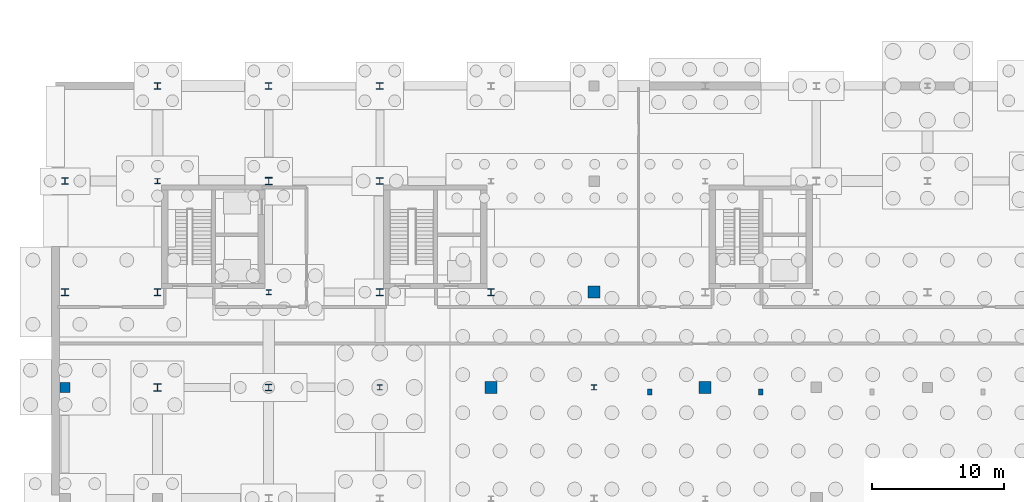
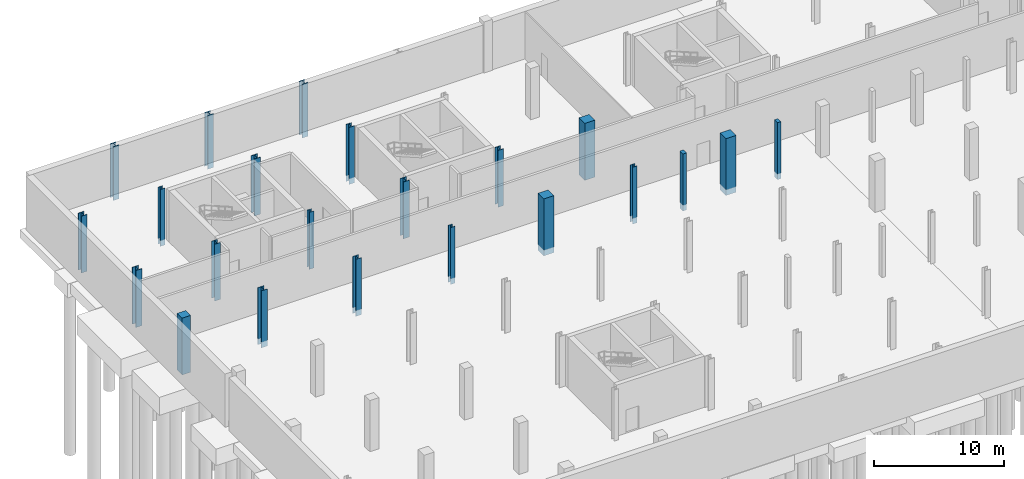
# One storey, part 12 of 32: 22 columns.
"""IFC4 building model written with IfcOpenShell, lengths in metres."""

from ifc_helpers import new_model, si_unit, direction, frame, origin_with_axes, origin_2d_with_axis, place, context, subcontext, project, spatial, rectangle, i_section, extrude, material, material_profile, profile_set, type_object, element, save


model = new_model("IFC4")

# Units and contexts
model_context = context("Model", 3, precision=1e-05, world=origin_with_axes(), true_north=direction((0.0, 1.0)))
body_context = subcontext(model_context, "Body", "Model", "MODEL_VIEW")
ifc_project = project(units=[si_unit("LENGTHUNIT", "METRE"), si_unit("AREAUNIT", "SQUARE_METRE"), si_unit("VOLUMEUNIT", "CUBIC_METRE"), si_unit("PLANEANGLEUNIT", "RADIAN"), si_unit("MASSUNIT", "GRAM", prefix="KILO"), si_unit("THERMODYNAMICTEMPERATUREUNIT", "KELVIN")], contexts=[model_context])

# Site, building, storey
site_placement = place(None, origin_with_axes())
site = spatial("IfcSite", under=ifc_project, at=site_placement, CompositionType="ELEMENT")
building_placement = place(site_placement, origin_with_axes())
building = spatial("IfcBuilding", under=site, at=building_placement, Name="Montbau Bow Law Courts", CompositionType="ELEMENT")
storey_placement = place(building_placement, frame((0.0, 0.0, -4.8), z_axis=(0.0, 0.0, 1.0), x_axis=(1.0, 0.0, 0.0)))
storey = spatial("IfcBuildingStorey", under=building, at=storey_placement, Name="B1", CompositionType="ELEMENT", Elevation=-4.8)

# Columns
ifc_material_1 = material(Name="Concrete CSA A23.1 f'c 40 MPa", Category="concrete")
ifc_material_profile_1 = material_profile(ifc_material_1, rectangle(XDim=0.32, YDim=0.48, at=origin_2d_with_axis()), Name="RC480X320", Category="Main", Priority=0)
ifc_profile_set_1 = profile_set([ifc_material_profile_1], Name="Concrete CSA A23.1 f'c 40 MPa")
column_type_1 = type_object("IfcColumnType", Name="C-PIL-02", PredefinedType="PILASTER", material=ifc_profile_set_1)
for number, where, z_axis, x_axis, name in (
    (1, (51.0, 38.65, -5.35), (0.0, 0.0, 1.0), (1.0, 0.0, 0.0), "PL-B1-S09:pil2_0025"),
    (2, (59.4, 38.65, -5.35), (0.0, 0.0, 1.0), (1.0, 0.0, 0.0), "PL-B1-S10:pil2_0028"),
):
    element("IfcColumn", number, at=place(None, frame(where, z_axis=z_axis, x_axis=x_axis)), inside=storey, type_object=column_type_1, Name=name, PredefinedType="PILASTER", context=body_context, shape_type="SweptSolid", body=[
        extrude(rectangle(XDim=0.32, YDim=0.48, at=origin_2d_with_axis()), origin_with_axes(), (0.0, 0.0, 1.0), 5.35),
    ])
ifc_material_2 = material(Name="Concrete CSA A23.1 f'c 45 MPa", Category="concrete")
ifc_material_profile_2 = material_profile(ifc_material_2, rectangle(XDim=0.9, YDim=0.9, at=origin_2d_with_axis()), Name="RC900X900", Category="Main", Priority=0)
ifc_profile_set_2 = profile_set([ifc_material_profile_2], Name="Concrete CSA A23.1 f'c 45 MPa")
column_type_2 = type_object("IfcColumnType", Name="C-RC-01", PredefinedType="COLUMN", material=ifc_profile_set_2)
for number, where, z_axis, x_axis, name in (
    (3, (39.0, 39.0, -5.35), (0.0, 0.0, 1.0), (1.0, 0.0, 0.0), "C-B1-S033:col2_0033"),
    (4, (46.8, 46.2, -5.35), (0.0, 0.0, 1.0), (1.0, 0.0, 0.0), "C-B1-S039:col2_0039"),
    (5, (55.2, 39.0, -5.35), (0.0, 0.0, 1.0), (1.0, 0.0, 0.0), "C-B1-S045:col2_0045"),
):
    element("IfcColumn", number, at=place(None, frame(where, z_axis=z_axis, x_axis=x_axis)), inside=storey, type_object=column_type_2, Name=name, PredefinedType="COLUMN", context=body_context, shape_type="SweptSolid", body=[
        extrude(rectangle(XDim=0.9, YDim=0.9, at=origin_2d_with_axis()), origin_with_axes(), (0.0, 0.0, 1.0), 5.35),
    ])
ifc_material_profile_3 = material_profile(ifc_material_1, rectangle(XDim=0.75, YDim=0.75, at=origin_2d_with_axis()), Name="RC750X750", Category="Main", Priority=0)
ifc_profile_set_3 = profile_set([ifc_material_profile_3], Name="Concrete CSA A23.1 f'c 40 MPa")
column_type_3 = type_object("IfcColumnType", Name="C-RC-03", PredefinedType="COLUMN", material=ifc_profile_set_3)
column_placement = place(None, frame((6.8, 39.0, -5.35), z_axis=(0.0, 0.0, 1.0), x_axis=(1.0, 0.0, 0.0)))
element("IfcColumn", 6, at=column_placement, inside=storey, type_object=column_type_3, Name="C-B1-S005:col2_0005", PredefinedType="COLUMN", context=body_context, shape_type="SweptSolid", body=[
    extrude(rectangle(XDim=0.75, YDim=0.75, at=origin_2d_with_axis()), origin_with_axes(), (0.0, 0.0, 1.0), 5.35),
])
ifc_material_3 = material(Name="Steel CSA G40.21 Grade 350W (350 MPa)", Category="steel")
ifc_material_profile_4 = material_profile(ifc_material_3, i_section(OverallWidth=0.55, OverallDepth=0.55, WebThickness=0.025, FlangeThickness=0.042, at=origin_2d_with_axis()), Name="WWF550X420", Category="Main", Priority=0)
ifc_profile_set_4 = profile_set([ifc_material_profile_4], Name="Steel CSA G40.21 Grade 350W (350 MPa)")
column_type_4 = type_object("IfcColumnType", Name="C-STL-01", PredefinedType="COLUMN", material=ifc_profile_set_4)
for number, where, z_axis, x_axis, name in (
    (7, (6.8, 46.2, -5.35), (0.0, 0.0, 1.0), (1.0, 0.0, 0.0), "C-B1-S006:col2_0006"),
    (8, (13.8, 39.0, -5.35), (0.0, 0.0, 1.0), (1.0, 0.0, 0.0), "C-B1-S012:col2_0012"),
    (9, (22.2, 54.6, -5.35), (0.0, 0.0, 1.0), (1.0, 0.0, 0.0), "C-B1-S021:col2_0021"),
    (10, (30.6, 46.2, -5.35), (0.0, 0.0, 1.0), (1.0, 0.0, 0.0), "C-B1-S027:col2_0027"),
):
    element("IfcColumn", number, at=place(None, frame(where, z_axis=z_axis, x_axis=x_axis)), inside=storey, type_object=column_type_4, Name=name, PredefinedType="COLUMN", context=body_context, shape_type="SweptSolid", body=[
        extrude(i_section(OverallWidth=0.55, OverallDepth=0.55, WebThickness=0.025, FlangeThickness=0.042, at=origin_2d_with_axis()), origin_with_axes(), (0.0, 0.0, 1.0), 5.35),
    ])
ifc_material_profile_5 = material_profile(ifc_material_3, i_section(OverallWidth=0.5, OverallDepth=0.5, WebThickness=0.022, FlangeThickness=0.036, at=origin_2d_with_axis()), Name="WWF500X343", Category="Main", Priority=0)
ifc_profile_set_5 = profile_set([ifc_material_profile_5], Name="Steel CSA G40.21 Grade 350W (350 MPa)")
column_type_5 = type_object("IfcColumnType", Name="C-STL-02", PredefinedType="COLUMN", material=ifc_profile_set_5)
for number, where, z_axis, x_axis, name in (
    (11, (6.8, 54.6, -5.35), (0.0, 0.0, 1.0), (1.0, 0.0, 0.0), "C-B1-S007:col2_0007"),
    (12, (13.8, 46.2, -5.35), (0.0, 0.0, 1.0), (1.0, 0.0, 0.0), "C-B1-S013:col2_0013"),
    (13, (22.2, 39.0, -5.35), (0.0, 0.0, 1.0), (1.0, 0.0, 0.0), "C-B1-S019:col2_0019"),
    (14, (30.6, 54.6, -5.35), (0.0, 0.0, 1.0), (1.0, 0.0, 0.0), "C-B1-S028:col2_0028"),
    (15, (39.0, 46.2, -5.35), (0.0, 0.0, 1.0), (1.0, 0.0, 0.0), "C-B1-S034:col2_0034"),
):
    element("IfcColumn", number, at=place(None, frame(where, z_axis=z_axis, x_axis=x_axis)), inside=storey, type_object=column_type_5, Name=name, PredefinedType="COLUMN", context=body_context, shape_type="SweptSolid", body=[
        extrude(i_section(OverallWidth=0.5, OverallDepth=0.5, WebThickness=0.022, FlangeThickness=0.036, at=origin_2d_with_axis()), origin_with_axes(), (0.0, 0.0, 1.0), 5.35),
    ])
for number, where, z_axis, x_axis, name in (
    (16, (13.8, 61.8, -5.35), (0.0, 0.0, 1.0), (1.0, 0.0, 0.0), "C-PLZ-B1-01:col2_1104"),
    (17, (22.2, 61.8, -5.35), (0.0, 0.0, 1.0), (1.0, 0.0, 0.0), "C-PLZ-B1-02:col2_1105"),
    (18, (30.6, 61.8, -5.35), (0.0, 0.0, 1.0), (1.0, 0.0, 0.0), "C-PLZ-B1-03:col2_1106"),
):
    element("IfcColumn", number, at=place(None, frame(where, z_axis=z_axis, x_axis=x_axis)), inside=storey, type_object=column_type_5, Name=name, PredefinedType="COLUMN", context=body_context, shape_type="SweptSolid", body=[
        extrude(i_section(OverallWidth=0.5, OverallDepth=0.5, WebThickness=0.022, FlangeThickness=0.036, at=origin_2d_with_axis()), origin_with_axes(), (0.0, 0.0, 1.0), 5.06),
    ])
ifc_material_profile_6 = material_profile(ifc_material_3, i_section(OverallWidth=0.395, OverallDepth=0.38, WebThickness=0.0189, FlangeThickness=0.0302, at=origin_2d_with_axis()), Name="W360X237", Category="Main", Priority=0)
ifc_profile_set_6 = profile_set([ifc_material_profile_6], Name="Steel CSA G40.21 Grade 350W (350 MPa)")
column_type_6 = type_object("IfcColumnType", Name="C-STL-03", PredefinedType="COLUMN", material=ifc_profile_set_6)
for number, where, z_axis, x_axis, name in (
    (19, (13.8, 54.6, -5.35), (0.0, 0.0, 1.0), (1.0, 0.0, 0.0), "C-B1-S014:col2_0014"),
    (20, (22.2, 46.2, -5.35), (0.0, 0.0, 1.0), (1.0, 0.0, 0.0), "C-B1-S020:col2_0020"),
    (21, (30.6, 39.0, -5.35), (0.0, 0.0, 1.0), (1.0, 0.0, 0.0), "C-B1-S026:col2_0026"),
    (22, (46.8, 39.0, -5.35), (0.0, 0.0, 1.0), (1.0, 0.0, 0.0), "C-B1-S038:col2_0038"),
):
    element("IfcColumn", number, at=place(None, frame(where, z_axis=z_axis, x_axis=x_axis)), inside=storey, type_object=column_type_6, Name=name, PredefinedType="COLUMN", context=body_context, shape_type="SweptSolid", body=[
        extrude(i_section(OverallWidth=0.395, OverallDepth=0.38, WebThickness=0.0189, FlangeThickness=0.0302, at=origin_2d_with_axis()), origin_with_axes(), (0.0, 0.0, 1.0), 5.35),
    ])

save(model, "model.ifc")
